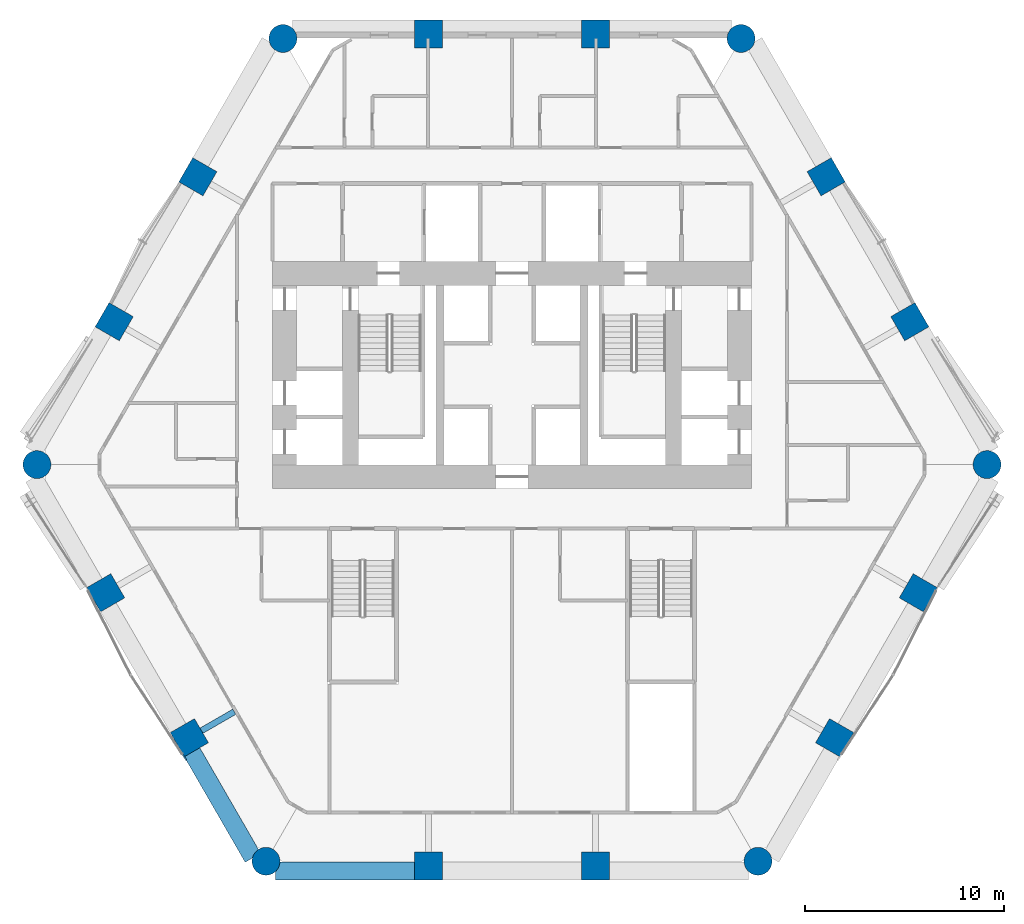
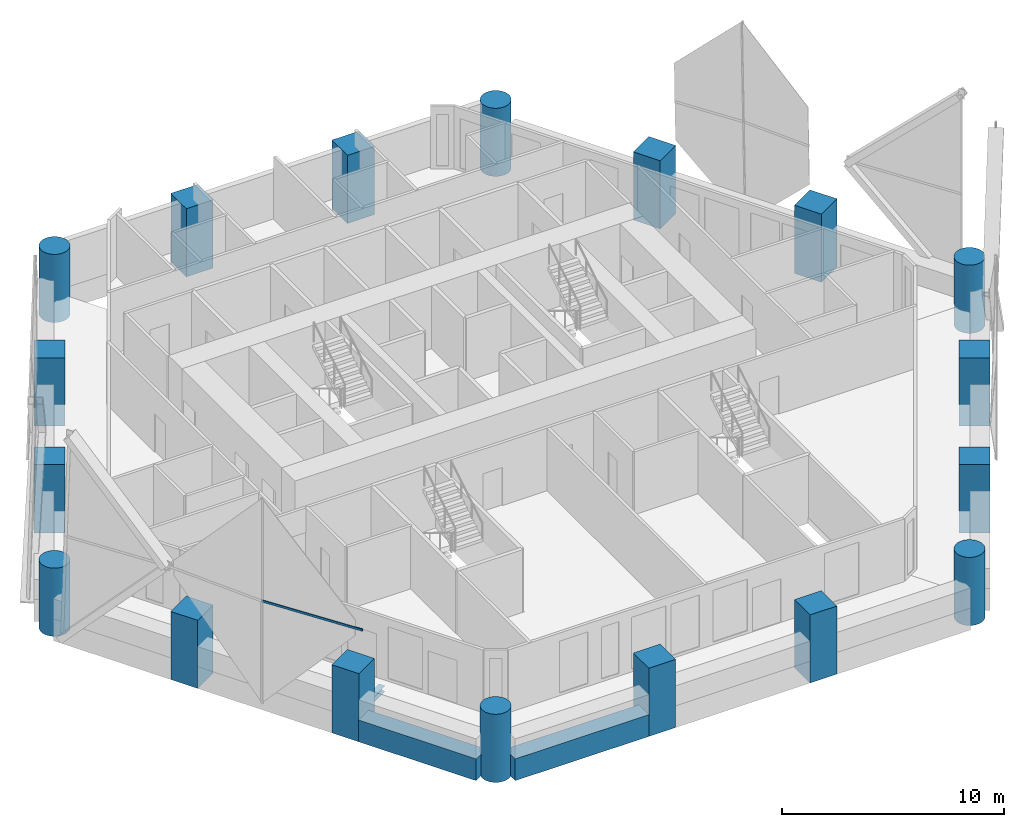
# One storey, part 1 of 16: 18 columns, 3 beams, 1 member, 1 element without a shape of its own.
"""IFC4 building model written with IfcOpenShell, lengths in metres."""

from ifc_helpers import new_model, si_unit, direction, frame, origin, origin_2d, place, context, subcontext, project, spatial, rectangle, hollow_rectangle, circle, i_section, extrude, material, material_profile, profile_set, type_object, element, aggregate, save


model = new_model("IFC4")

# Units and contexts
model_context = context("Model", 3, precision=1e-05, world=origin(), true_north=direction((0.0, 1.0)))
body_context = subcontext(model_context, "Body", "Model", "MODEL_VIEW")
ifc_project = project(units=[si_unit("LENGTHUNIT", "METRE"), si_unit("AREAUNIT", "SQUARE_METRE"), si_unit("VOLUMEUNIT", "CUBIC_METRE"), si_unit("PLANEANGLEUNIT", "RADIAN"), si_unit("MASSUNIT", "GRAM", prefix="KILO")], contexts=[model_context])

# Site, building, storey
site_placement = place(None, origin())
site = spatial("IfcSite", under=ifc_project, at=site_placement, CompositionType="ELEMENT")
building_placement = place(site_placement, origin())
building = spatial("IfcBuilding", under=site, at=building_placement, Name="Ostrander Bayou Hotel Tower", CompositionType="ELEMENT")
storey_placement = place(building_placement, frame((0.0, 0.0, 58.0)))
storey = spatial("IfcBuildingStorey", under=building, at=storey_placement, Name="L14", CompositionType="ELEMENT", Elevation=58.0)

# Columns
ifc_material_1 = material(Name="Concrete f'c 70 MPa", Category="concrete")
ifc_material_profile_1 = material_profile(ifc_material_1, circle(Radius=0.699951171875, at=origin_2d()))
ifc_profile_set_1 = profile_set([ifc_material_profile_1], Name="Concrete f'c 70 MPa")
column_type_1 = type_object("IfcColumnType", Name="C1 round column 1400 mm f'c 70 MPa", PredefinedType="COLUMN", material=ifc_profile_set_1)
for number, where, z_axis, x_axis, name in (
    (1, (-11.483642578125, 20.872314453125, -1.199951171875), (0.0, 0.0, 1.0), (1.0, 0.0, 0.0), "C1 L14 K0"),
    (2, (-23.817626953125, -0.490966796875, -1.199951171875), (0.0, 0.0, 1.0), (1.0, 0.0, 0.0), "C1 L14 K1"),
    (3, (-12.333984375, -20.38134765625, -1.199951171875), (0.0, 0.0, 1.0), (1.0, 0.0, 0.0), "C1 L14 K2"),
    (4, (12.333984375, -20.38134765625, -1.199951171875), (0.0, 0.0, 1.0), (1.0, 0.0, 0.0), "C1 L14 K3"),
    (5, (23.817626953125, -0.490966796875, -1.199951171875), (0.0, 0.0, 1.0), (1.0, 0.0, 0.0), "C1 L14 K4"),
    (6, (11.483642578125, 20.872314453125, -1.199951171875), (0.0, 0.0, 1.0), (1.0, 0.0, 0.0), "C1 L14 K5"),
):
    element("IfcColumn", number, at=place(storey_placement, frame(where, z_axis=z_axis, x_axis=x_axis)), inside=storey, type_object=column_type_1, Name=name, PredefinedType="COLUMN", context=body_context, shape_type="SweptSolid", body=[
        extrude(circle(Radius=0.699951171875, at=origin_2d()), origin(), (0.0, 0.0, 1.0), 3.75),
    ])
ifc_material_2 = material(Name="Concrete f'c 70 MPa", Category="concrete")
ifc_material_profile_2 = material_profile(ifc_material_2, rectangle(XDim=1.39990234375, YDim=1.39990234375, at=origin_2d()))
ifc_profile_set_2 = profile_set([ifc_material_profile_2], Name="Concrete f'c 70 MPa")
column_type_2 = type_object("IfcColumnType", Name="C2 square column 1400 x 1400 mm f'c 70 MPa", PredefinedType="COLUMN", material=ifc_profile_set_2)
for number, where, z_axis, x_axis, name in (
    (7, (4.1953125, 21.10009765625, -1.199951171875), (0.0, 0.0, 1.0), (1.0, 0.0, 0.0), "C2 L14 N1"),
    (8, (-4.1953125, 21.10009765625, -1.199951171875), (0.0, 0.0, 1.0), (1.0, 0.0, 0.0), "C2 L14 N2"),
    (9, (-15.750244140625, 13.93798828125, -1.199951171875), (0.0, 0.0, 1.0), (0.5, 0.866025403784, 0.0), "C2 L14 NW1"),
    (10, (-19.94580078125, 6.671142578125, -1.199951171875), (0.0, 0.0, 1.0), (0.5, 0.866025403784, 0.0), "C2 L14 NW2"),
    (11, (-20.370849609375, -6.916748046875, -1.199951171875), (0.0, 0.0, 1.0), (-0.5, 0.866025403784, 0.0), "C2 L14 SW1"),
    (12, (-16.17529296875, -14.183349609375, -1.199951171875), (0.0, 0.0, 1.0), (-0.5, 0.866025403784, 0.0), "C2 L14 SW2"),
    (13, (-4.1953125, -20.60888671875, -1.199951171875), (0.0, 0.0, 1.0), (-1.0, 0.0, 0.0), "C2 L14 S1"),
    (14, (4.1953125, -20.60888671875, -1.199951171875), (0.0, 0.0, 1.0), (-1.0, 0.0, 0.0), "C2 L14 S2"),
    (15, (16.17529296875, -14.183349609375, -1.199951171875), (0.0, 0.0, 1.0), (-0.5, -0.866025403784, 0.0), "C2 L14 SE1"),
    (16, (20.370849609375, -6.916748046875, -1.199951171875), (0.0, 0.0, 1.0), (-0.5, -0.866025403784, 0.0), "C2 L14 SE2"),
    (17, (19.94580078125, 6.671142578125, -1.199951171875), (0.0, 0.0, 1.0), (0.5, -0.866025403784, 0.0), "C2 L14 NE1"),
    (18, (15.750244140625, 13.93798828125, -1.199951171875), (0.0, 0.0, 1.0), (0.5, -0.866025403784, 0.0), "C2 L14 NE2"),
):
    element("IfcColumn", number, at=place(storey_placement, frame(where, z_axis=z_axis, x_axis=x_axis)), inside=storey, type_object=column_type_2, Name=name, PredefinedType="COLUMN", context=body_context, shape_type="SweptSolid", body=[
        extrude(rectangle(XDim=1.39990234375, YDim=1.39990234375, at=origin_2d()), origin(), (0.0, 0.0, 1.0), 3.75),
    ])

# Curtain wall, member
ifc_material_3 = material(Name="Aluminium and clear glass", Category="aluminium")
curtain_wall_type = type_object("IfcCurtainWallType", Name="CW-LAT lattice glazing", PredefinedType="NOTDEFINED", material=ifc_material_3)
curtain_wall_placement = place(storey_placement, origin())
curtain_wall = element("IfcCurtainWall", 19, at=curtain_wall_placement, inside=storey, type_object=curtain_wall_type, Name="CW-LAT L14 SW 2", PredefinedType="NOTDEFINED")
ifc_material_4 = material(Name="Aluminium", Category="aluminium")
ifc_material_profile_3 = material_profile(ifc_material_4, hollow_rectangle(XDim=0.06005859375, YDim=0.1201171875, WallThickness=0.00390625, at=origin_2d()))
ifc_profile_set_3 = profile_set([ifc_material_profile_3], Name="Aluminium")
member_type = type_object("IfcMemberType", Name="CW-LA transom 60 x 120 mm", PredefinedType="USERDEFINED", material=ifc_profile_set_3)
member_placement = place(storey_placement, frame((-19.11328125, -11.034912109375, 5.02490234375), z_axis=(0.545450553522, -0.83814300311, 0.0), x_axis=(0.83814300311, 0.545450553522, 0.0)))
member = element("IfcMember", 20, at=member_placement, type_object=member_type, Name="CW-LAT transom 7", ObjectType="TRANSOM", PredefinedType="USERDEFINED", context=body_context, shape_type="SweptSolid", body=[
    extrude(hollow_rectangle(XDim=0.06005859375, YDim=0.1201171875, WallThickness=0.00390625, at=origin_2d()), origin(), (0.0, 0.0, 1.0), 5.104736328125),
])
aggregate(curtain_wall, [member])

# Beams
ifc_material_5 = material(Name="Steel ASTM A992", Category="steel")
ifc_material_profile_4 = material_profile(ifc_material_5, i_section(OverallWidth=0.3046875, OverallDepth=0.307861328125, WebThickness=0.010009765625, FlangeThickness=0.015380859375, at=origin_2d()))
ifc_profile_set_4 = profile_set([ifc_material_profile_4], Name="Steel ASTM A992")
beam_type_1 = type_object("IfcBeamType", Name="LB1 loggia bracket W12x65", PredefinedType="BEAM", material=ifc_profile_set_4)
beam_1_placement = place(storey_placement, frame((-15.569091796875, -13.833251953125, -0.453857421875), z_axis=(0.86601224135, 0.500022797313, 0.0), x_axis=(-0.500022797313, 0.86601224135, 0.0)))
element("IfcBeam", 21, at=beam_1_placement, inside=storey, type_object=beam_type_1, Name="LB1 L14 SW2", PredefinedType="BEAM", context=body_context, shape_type="SweptSolid", body=[
    extrude(i_section(OverallWidth=0.3046875, OverallDepth=0.307861328125, WebThickness=0.010009765625, FlangeThickness=0.015380859375, at=origin_2d()), origin(), (0.0, 0.0, 1.0), 1.89990234375),
])
ifc_material_6 = material(Name="Concrete f'c 70 MPa", Category="concrete")
ifc_material_profile_5 = material_profile(ifc_material_6, rectangle(XDim=0.89990234375, YDim=1.199951171875, at=origin_2d()))
ifc_profile_set_5 = profile_set([ifc_material_profile_5], Name="Concrete f'c 70 MPa")
beam_type_2 = type_object("IfcBeamType", Name="SP1 spandrel beam 900 x 1200 mm f'c 70 MPa", PredefinedType="SPANDREL", material=ifc_profile_set_5)
beam_2_placement = place(storey_placement, frame((-16.056884765625, -14.888671875, -0.60009765625), z_axis=(0.500007141444, -0.86602128063, 0.0), x_axis=(0.86602128063, 0.500007141444, 0.0)))
element("IfcBeam", 22, at=beam_2_placement, inside=storey, type_object=beam_type_2, Name="SP1 L14 SW-3", PredefinedType="SPANDREL", context=body_context, shape_type="SweptSolid", body=[
    extrude(rectangle(XDim=0.89990234375, YDim=1.199951171875, at=origin_2d()), origin(), (0.0, 0.0, 1.0), 6.13671875),
])
beam_3_placement = place(storey_placement, frame((-11.852294921875, -20.85888671875, -0.60009765625), z_axis=(1.0, 0.0, 0.0), x_axis=(0.0, 1.0, 0.0)))
element("IfcBeam", 23, at=beam_3_placement, inside=storey, type_object=beam_type_2, Name="SP1 L14 S-1", PredefinedType="SPANDREL", context=body_context, shape_type="SweptSolid", body=[
    extrude(rectangle(XDim=0.89990234375, YDim=1.199951171875, at=origin_2d()), origin(), (0.0, 0.0, 1.0), 6.98681640625),
])

save(model, "model.ifc")
